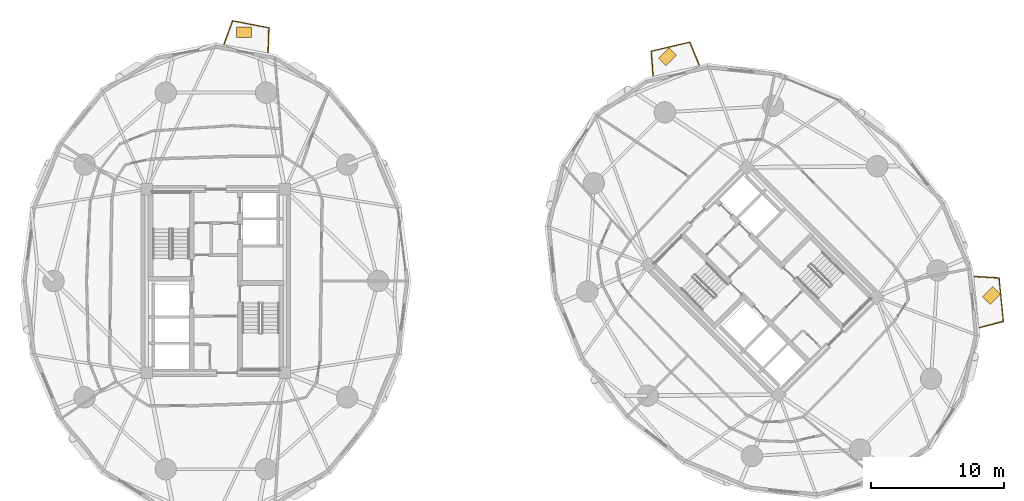
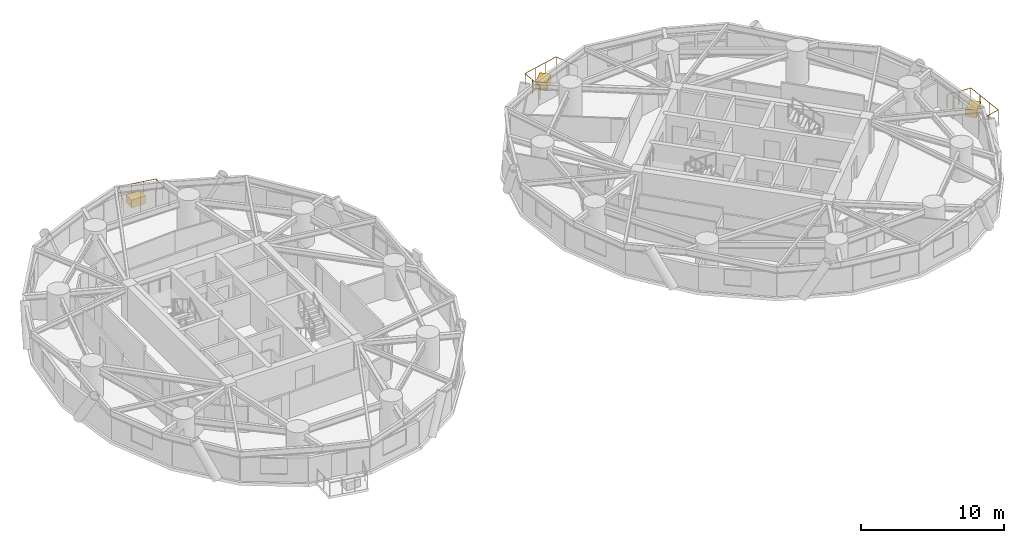
# One storey, part 15 of 15: 3 coverings, 3 railings.
"""IFC4 building model written with IfcOpenShell, lengths in metres."""

from ifc_helpers import new_model, si_unit, direction, frame, origin, origin_2d, place, context, subcontext, project, spatial, rectangle, circle, extrude, source, transform, mapped, material, layer, layer_set, type_object, element, save


model = new_model("IFC4")

# Units and contexts
model_context = context("Model", 3, precision=1e-05, world=origin(), true_north=direction((0.0, 1.0)))
body_context = subcontext(model_context, "Body", "Model", "MODEL_VIEW")
ifc_project = project(units=[si_unit("LENGTHUNIT", "METRE"), si_unit("AREAUNIT", "SQUARE_METRE"), si_unit("VOLUMEUNIT", "CUBIC_METRE"), si_unit("PLANEANGLEUNIT", "RADIAN"), si_unit("MASSUNIT", "GRAM", prefix="KILO")], contexts=[model_context])

# Site, building, storey
site_placement = place(None, origin())
site = spatial("IfcSite", under=ifc_project, at=site_placement, CompositionType="ELEMENT")
building_placement = place(site_placement, origin())
building = spatial("IfcBuilding", under=site, at=building_placement, Name="Cununo Teusaquillo Station Towers", CompositionType="ELEMENT")
storey_placement = place(building_placement, frame((0.0, 0.0, 24.909912109375)))
storey = spatial("IfcBuildingStorey", under=building, at=storey_placement, Name="L06", CompositionType="ELEMENT", Elevation=24.909912109375)

# Railings
ifc_material_1 = material(Name="Anodised dark bronze aluminium EN AW-6063-T6", Category="aluminium")
railing_type_1 = type_object("IfcRailingType", Name="RL-EXT-BALUS", PredefinedType="BALUSTRADE", material=ifc_material_1)
railing_1_placement = place(storey_placement, frame((17.1171875, 42.27490234375, 0.0)))
element("IfcRailing", 1, at=railing_1_placement, inside=storey, type_object=railing_type_1, Name="L06 Tower A Balcony Guardrail C04", PredefinedType="BALUSTRADE", context=body_context, shape_type="SweptSolid", body=[
    extrude(circle(Radius=0.02392578125, at=origin_2d()), frame((0.0, 0.0, 1.17578125), z_axis=(0.344138729678, 0.938918811578, 0.0), x_axis=(-0.938918811578, 0.344138729678, 0.0)), (0.0, 0.0, 1.0), 1.8564453125),
    extrude(circle(Radius=0.02392578125, at=origin_2d()), frame((0.638916015625, 1.7431640625, 1.17578125), z_axis=(0.981830711399, -0.189758936954, 0.0), x_axis=(0.189758936954, 0.981830711399, 0.0)), (0.0, 0.0, 1.0), 2.771240234375),
    extrude(circle(Radius=0.02392578125, at=origin_2d()), frame((3.35986328125, 1.21728515625, 1.17578125), z_axis=(-0.030512102658, -0.999534397403, 0.0), x_axis=(0.999534397403, -0.030512102658, 0.0)), (0.0, 0.0, 1.0), 1.8564453125),
    extrude(circle(Radius=0.02099609375, at=origin_2d()), origin(), (0.0, 0.0, 1.0), 1.15185546875),
    extrude(circle(Radius=0.02099609375, at=origin_2d()), frame((0.3193359375, 0.87158203125, 0.0)), (0.0, 0.0, 1.0), 1.15185546875),
    extrude(circle(Radius=0.02099609375, at=origin_2d()), frame((0.638916015625, 1.7431640625, 0.0)), (0.0, 0.0, 1.0), 1.15185546875),
    extrude(circle(Radius=0.02099609375, at=origin_2d()), frame((1.5458984375, 1.56787109375, 0.0)), (0.0, 0.0, 1.0), 1.15185546875),
    extrude(circle(Radius=0.02099609375, at=origin_2d()), frame((2.452880859375, 1.392578125, 0.0)), (0.0, 0.0, 1.0), 1.15185546875),
    extrude(circle(Radius=0.02099609375, at=origin_2d()), frame((3.35986328125, 1.21728515625, 0.0)), (0.0, 0.0, 1.0), 1.15185546875),
    extrude(circle(Radius=0.02099609375, at=origin_2d()), frame((3.33154296875, 0.28955078125, 0.0)), (0.0, 0.0, 1.0), 1.15185546875),
    extrude(circle(Radius=0.02099609375, at=origin_2d()), frame((3.30322265625, -0.63818359375, 0.0)), (0.0, 0.0, 1.0), 1.15185546875),
])
railing_2_placement = place(storey_placement, frame((49.2880859375, 39.8828125, 0.0)))
element("IfcRailing", 2, at=railing_2_placement, inside=storey, type_object=railing_type_1, Name="L06 Tower B Balcony Guardrail C03", PredefinedType="BALUSTRADE", context=body_context, shape_type="SweptSolid", body=[
    extrude(circle(Radius=0.02392578125, at=origin_2d()), frame((0.0, 0.0, 1.17578125), z_axis=(-0.068775064937, 0.997632191964, 0.0), x_axis=(-0.997632191964, -0.068775064937, 0.0)), (0.0, 0.0, 1.0), 1.860107421875),
    extrude(circle(Radius=0.02392578125, at=origin_2d()), frame((-0.1279296875, 1.855712890625, 1.17578125), z_axis=(0.97384181679, 0.227227013957, 0.0), x_axis=(-0.227227013957, 0.97384181679, 0.0)), (0.0, 0.0, 1.0), 2.966552734375),
    extrude(circle(Radius=0.02392578125, at=origin_2d()), frame((2.760986328125, 2.52978515625, 1.17578125), z_axis=(0.379726311701, -0.925098874825, 0.0), x_axis=(0.925098874825, 0.379726311701, 0.0)), (0.0, 0.0, 1.0), 1.860107421875),
    extrude(circle(Radius=0.02099609375, at=origin_2d()), origin(), (0.0, 0.0, 1.0), 1.15185546875),
    extrude(circle(Radius=0.02099609375, at=origin_2d()), frame((-0.06396484375, 0.927734375, 0.0)), (0.0, 0.0, 1.0), 1.15185546875),
    extrude(circle(Radius=0.02099609375, at=origin_2d()), frame((-0.1279296875, 1.855712890625, 0.0)), (0.0, 0.0, 1.0), 1.15185546875),
    extrude(circle(Radius=0.02099609375, at=origin_2d()), frame((0.8349609375, 2.080322265625, 0.0)), (0.0, 0.0, 1.0), 1.15185546875),
    extrude(circle(Radius=0.02099609375, at=origin_2d()), frame((1.798095703125, 2.30517578125, 0.0)), (0.0, 0.0, 1.0), 1.15185546875),
    extrude(circle(Radius=0.02099609375, at=origin_2d()), frame((2.760986328125, 2.52978515625, 0.0)), (0.0, 0.0, 1.0), 1.15185546875),
    extrude(circle(Radius=0.02099609375, at=origin_2d()), frame((3.1142578125, 1.66943359375, 0.0)), (0.0, 0.0, 1.0), 1.15185546875),
    extrude(circle(Radius=0.02099609375, at=origin_2d()), frame((3.46728515625, 0.80908203125, 0.0)), (0.0, 0.0, 1.0), 1.15185546875),
])
ifc_material_2 = material(Name="Anodised dark bronze aluminium EN AW-6063-T6", Category="aluminium")
railing_type_2 = type_object("IfcRailingType", Name="RL-EXT-GUARD", PredefinedType="GUARDRAIL", material=ifc_material_2)
railing_3_placement = place(storey_placement, frame((73.389404296875, 24.835693359375, 0.0)))
element("IfcRailing", 3, at=railing_3_placement, inside=storey, type_object=railing_type_2, Name="L06 Tower B Balcony Guardrail C17", PredefinedType="GUARDRAIL", context=body_context, shape_type="SweptSolid", body=[
    extrude(circle(Radius=0.02392578125, at=origin_2d()), frame((0.0, 0.0, 1.1259765625), z_axis=(0.998114214659, -0.061384155085, 0.0), x_axis=(0.061384155085, 0.998114214659, 0.0)), (0.0, 0.0, 1.0), 1.865234375),
    extrude(circle(Radius=0.02392578125, at=origin_2d()), frame((1.86181640625, -0.114501953125, 1.1259765625), z_axis=(0.098578707486, -0.995129257147, 0.0), x_axis=(0.995129257147, 0.098578707486, 0.0)), (0.0, 0.0, 1.0), 3.2666015625),
    extrude(circle(Radius=0.02392578125, at=origin_2d()), frame((2.183837890625, -3.365234375, 1.1259765625), z_axis=(-0.966635672471, -0.256155180911, 0.0), x_axis=(0.256155180911, -0.966635672471, 0.0)), (0.0, 0.0, 1.0), 1.865234375),
    extrude(circle(Radius=0.02099609375, at=origin_2d()), origin(), (0.0, 0.0, 1.0), 1.101806640625),
    extrude(circle(Radius=0.02099609375, at=origin_2d()), frame((0.930908203125, -0.05712890625, 0.0)), (0.0, 0.0, 1.0), 1.101806640625),
    extrude(circle(Radius=0.02099609375, at=origin_2d()), frame((1.86181640625, -0.114501953125, 0.0)), (0.0, 0.0, 1.0), 1.101806640625),
    extrude(circle(Radius=0.02099609375, at=origin_2d()), frame((1.96923828125, -1.197998046875, 0.0)), (0.0, 0.0, 1.0), 1.101806640625),
    extrude(circle(Radius=0.02099609375, at=origin_2d()), frame((2.076416015625, -2.28173828125, 0.0)), (0.0, 0.0, 1.0), 1.101806640625),
    extrude(circle(Radius=0.02099609375, at=origin_2d()), frame((2.183837890625, -3.365234375, 0.0)), (0.0, 0.0, 1.0), 1.101806640625),
    extrude(circle(Radius=0.02099609375, at=origin_2d()), frame((1.2822265625, -3.60400390625, 0.0)), (0.0, 0.0, 1.0), 1.101806640625),
    extrude(circle(Radius=0.02099609375, at=origin_2d()), frame((0.380859375, -3.843017578125, 0.0)), (0.0, 0.0, 1.0), 1.101806640625),
])

# Coverings
ifc_material_3 = material(Name="Architectural GRC planter shell and engineered root-zone substrate", Category="concrete")
ifc_layer = layer(ifc_material_3, 0.64990234375)
ifc_layer_set = layer_set([ifc_layer], Name="Architectural GRC planter shell and engineered root-zone substrate")
covering_type = type_object("IfcCoveringType", Name="COV-TREE-PLANTER", PredefinedType="CLADDING", material=ifc_layer_set)
shared_shape = source(origin(), body_context, "Body", "SweptSolid", [
    extrude(rectangle(XDim=1.10009765625, YDim=0.800048828125, at=origin_2d()), origin(), (0.0, 0.0, 1.0), 0.64990234375),
])
for number, where, z_axis, x_axis, name in (
    (4, (18.607666015625, 43.1513671875, 0.000244140625), (0.0, 0.0, 1.0), (1.0, 0.0, 0.0), "L06 Tower A Balcony Tree PLANTER C04"),
    (5, (50.38671875, 41.314697265625, 0.000244140625), (0.0, 0.0, 1.0), (0.707106781187, 0.707106781187, 0.0), "L06 Tower B Balcony Tree PLANTER C03"),
    (6, (74.68359375, 23.410400390625, 0.000244140625), (0.0, 0.0, 1.0), (0.707106781187, 0.707106781187, 0.0), "L06 Tower B Balcony Tree PLANTER C17"),
):
    element("IfcCovering", number, at=place(storey_placement, frame(where, z_axis=z_axis, x_axis=x_axis)), inside=storey, type_object=covering_type, Name=name, PredefinedType="CLADDING", context=body_context, shape_type="MappedRepresentation", body=[
        mapped(shared_shape, transform((0.0, 0.0, 0.0), x_axis=(1.0, 0.0, 0.0), y_axis=(0.0, 1.0, 0.0), z_axis=(0.0, 0.0, 1.0), scale=1.0)),
    ])

save(model, "model.ifc")
